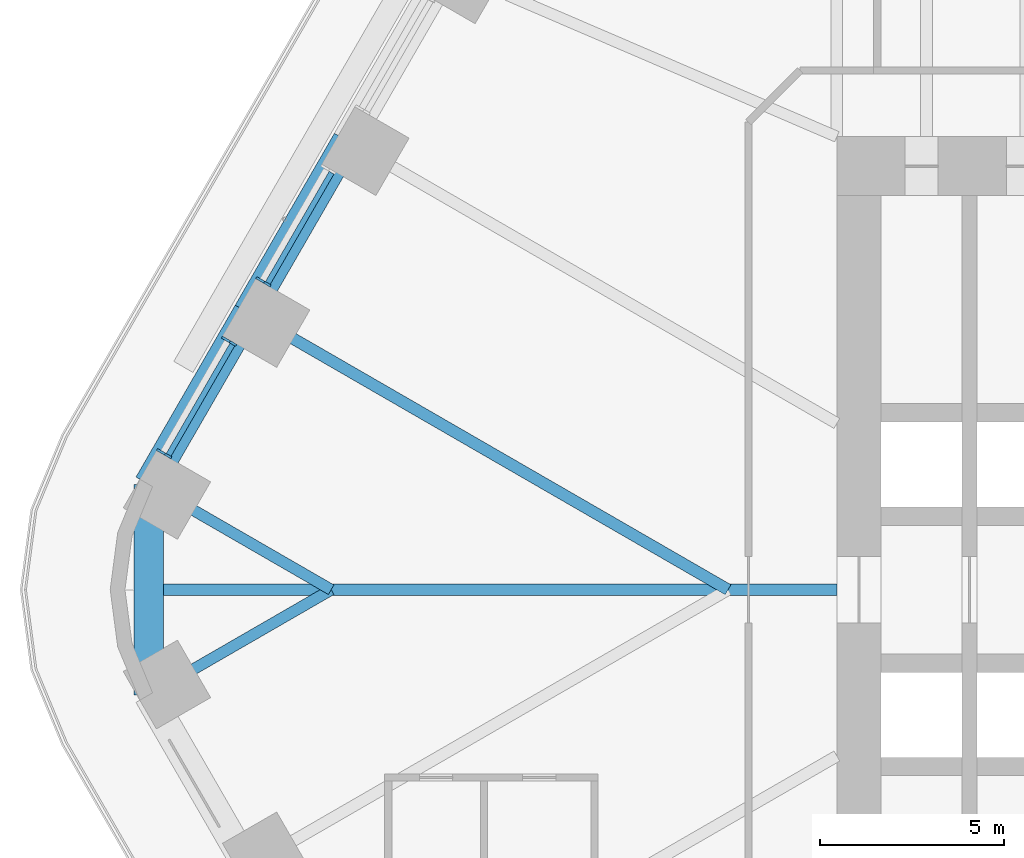
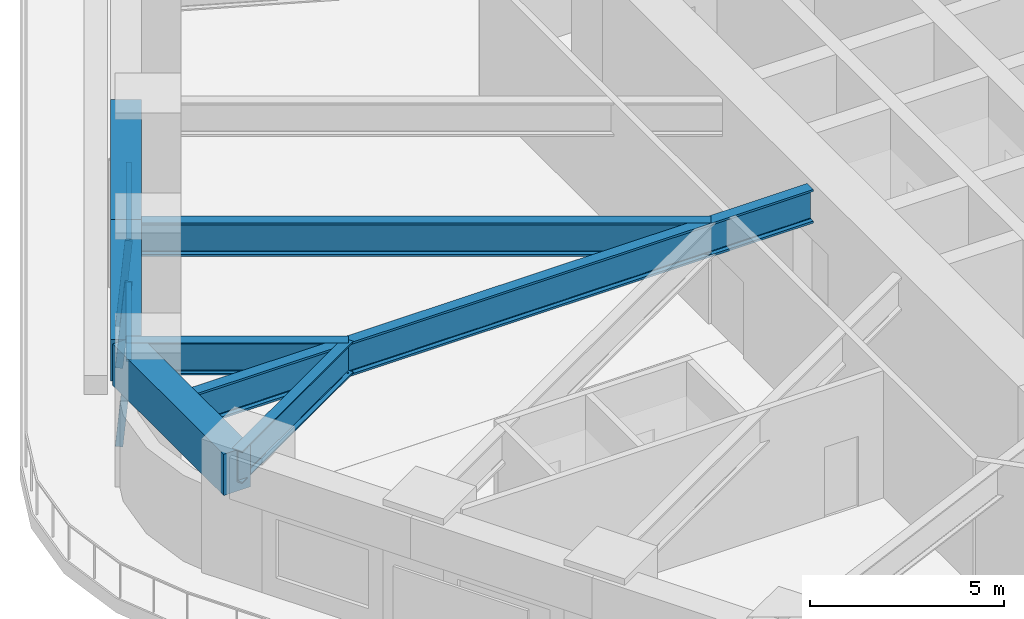
# One storey, part 6 of 23: 7 beams, 5 members, 2 elements without a shape of their own.
"""IFC4 building model written with IfcOpenShell, lengths in metres."""

from ifc_helpers import new_model, si_unit, direction, frame, origin, origin_2d, place, context, subcontext, project, spatial, rectangle, i_section, extrude, material, material_profile, profile_set, type_object, element, aggregate, save


model = new_model("IFC4")

# Units and contexts
model_context = context("Model", 3, precision=1e-05, world=origin(), true_north=direction((0.0, 1.0)))
body_context = subcontext(model_context, "Body", "Model", "MODEL_VIEW")
ifc_project = project(units=[si_unit("LENGTHUNIT", "METRE"), si_unit("AREAUNIT", "SQUARE_METRE"), si_unit("VOLUMEUNIT", "CUBIC_METRE"), si_unit("PLANEANGLEUNIT", "RADIAN"), si_unit("MASSUNIT", "GRAM", prefix="KILO")], contexts=[model_context])

# Site, building, storey
site_placement = place(None, origin())
site = spatial("IfcSite", under=ifc_project, at=site_placement, CompositionType="ELEMENT")
building_placement = place(site_placement, origin())
building = spatial("IfcBuilding", under=site, at=building_placement, Name="Tarfa Lantern Tower", CompositionType="ELEMENT")
storey_placement = place(building_placement, frame((0.0, 0.0, 99.10009765625)))
storey = spatial("IfcBuildingStorey", under=building, at=storey_placement, Name="L22", CompositionType="ELEMENT", Elevation=99.10009765625)

# Curtain wall, member
ifc_material_1 = material(Name="Aluminium framed curtain wall", Category="aluminium")
curtain_wall_type = type_object("IfcCurtainWallType", Name="CW1 CANTED GLAZING LOW ZONE 2700", PredefinedType="USERDEFINED", material=ifc_material_1)
curtain_wall_1_placement = place(storey_placement, origin())
curtain_wall_1 = element("IfcCurtainWall", 1, at=curtain_wall_1_placement, inside=storey, type_object=curtain_wall_type, Name="CW1 NW L22", ObjectType="CURTAIN WALL", PredefinedType="USERDEFINED")
ifc_material_2 = material(Name="Aluminium mullion", Category="aluminium")
ifc_material_profile_1 = material_profile(ifc_material_2, rectangle(XDim=0.06494140625, YDim=0.199951171875, at=origin_2d()), Name="AL MULLION 65x200")
ifc_profile_set_1 = profile_set([ifc_material_profile_1], Name="Aluminium mullion")
member_type_1 = type_object("IfcMemberType", Name="CWM1 MULLION 65x200", PredefinedType="MULLION", material=ifc_profile_set_1)
member_1_placement = place(storey_placement, frame((-34.280517578125, 8.42431640625, 0.0), z_axis=(0.079774955866, -0.04610020023, 0.995746317068), x_axis=(0.500342721131, 0.865827443207, 0.0)))
member_1 = element("IfcMember", 2, at=member_1_placement, type_object=member_type_1, Name="CW1 mullion 2", PredefinedType="MULLION", context=body_context, shape_type="SweptSolid", body=[
    extrude(rectangle(XDim=0.06494140625, YDim=0.199951171875, at=origin_2d()), origin(), (0.0, 0.0, 1.0), 2.71142578125),
])

# Curtain wall, members
curtain_wall_2_placement = place(storey_placement, origin())
curtain_wall_2 = element("IfcCurtainWall", 3, at=curtain_wall_2_placement, inside=storey, type_object=curtain_wall_type, Name="CW1 NW L22", ObjectType="CURTAIN WALL", PredefinedType="USERDEFINED")
member_2_placement = place(storey_placement, frame((-35.213134765625, 6.80908203125, 0.0), z_axis=(0.07986442134, -0.046099868913, 0.99573916077), x_axis=(0.499919672301, 0.866071776036, 0.0)))
member_2 = element("IfcMember", 4, at=member_2_placement, type_object=member_type_1, Name="CW1 mullion 1", PredefinedType="MULLION", context=body_context, shape_type="SweptSolid", body=[
    extrude(rectangle(XDim=0.06494140625, YDim=0.199951171875, at=origin_2d()), origin(), (0.0, 0.0, 1.0), 2.71142578125),
])
member_3_placement = place(storey_placement, frame((-36.974853515625, 3.757568359375, 0.0), z_axis=(0.07986442134, -0.046099868913, 0.99573916077), x_axis=(0.499919672301, 0.866071776036, 0.0)))
member_3 = element("IfcMember", 5, at=member_3_placement, type_object=member_type_1, Name="CW1 mullion 2", PredefinedType="MULLION", context=body_context, shape_type="SweptSolid", body=[
    extrude(rectangle(XDim=0.06494140625, YDim=0.199951171875, at=origin_2d()), origin(), (0.0, 0.0, 1.0), 2.71142578125),
])

# Member
ifc_material_3 = material(Name="Aluminium transom", Category="aluminium")
ifc_material_profile_2 = material_profile(ifc_material_3, rectangle(XDim=0.14990234375, YDim=0.06494140625, at=origin_2d()), Name="AL TRANSOM 150x65")
ifc_profile_set_2 = profile_set([ifc_material_profile_2], Name="Aluminium transom")
member_type_2 = type_object("IfcMemberType", Name="CWT1 TRANSOM 150x65", PredefinedType="USERDEFINED", material=ifc_profile_set_2)
member_4_placement = place(storey_placement, frame((-32.321044921875, 11.32421875, 2.66748046875), z_axis=(-0.500025915891, -0.866010440721, 0.0), x_axis=(0.866010440721, -0.500025915891, 0.0)))
member_4 = element("IfcMember", 6, at=member_4_placement, type_object=member_type_2, Name="CW1 transom 1.2", ObjectType="TRANSOM", PredefinedType="USERDEFINED", context=body_context, shape_type="SweptSolid", body=[
    extrude(rectangle(XDim=0.14990234375, YDim=0.06494140625, at=origin_2d()), origin(), (0.0, 0.0, 1.0), 3.458740234375),
])

aggregate(curtain_wall_1, [member_1, member_4])

member_5_placement = place(storey_placement, frame((-35.015380859375, 6.657470703125, 2.66748046875), z_axis=(-0.500025915891, -0.866010440721, 0.0), x_axis=(0.866010440721, -0.500025915891, 0.0)))
member_5 = element("IfcMember", 7, at=member_5_placement, type_object=member_type_2, Name="CW1 transom 1.2", ObjectType="TRANSOM", PredefinedType="USERDEFINED", context=body_context, shape_type="SweptSolid", body=[
    extrude(rectangle(XDim=0.14990234375, YDim=0.06494140625, at=origin_2d()), origin(), (0.0, 0.0, 1.0), 3.458740234375),
])

aggregate(curtain_wall_2, [member_2, member_3, member_5])

# Beams
ifc_material_4 = material(Name="Concrete C80/95", Category="concrete")
ifc_material_profile_3 = material_profile(ifc_material_4, rectangle(XDim=0.800048828125, YDim=1.300048828125, at=origin_2d()), Name="RC 800x1300")
ifc_profile_set_3 = profile_set([ifc_material_profile_3], Name="Concrete C80/95")
beam_type_1 = type_object("IfcBeamType", Name="EB1 RC 800x1300", PredefinedType="SPANDREL", material=ifc_profile_set_3)
beam_1_placement = place(storey_placement, frame((-31.896728515625, 12.193359375, 3.349853515625), z_axis=(-0.499998287579, -0.866026392449, 0.0), x_axis=(0.866026392449, -0.499998287579, 0.0)))
element("IfcBeam", 8, at=beam_1_placement, inside=storey, type_object=beam_type_1, Name="Edge beam NW4", PredefinedType="SPANDREL", context=body_context, shape_type="SweptSolid", body=[
    extrude(rectangle(XDim=0.800048828125, YDim=1.300048828125, at=origin_2d()), origin(), (0.0, 0.0, 1.0), 5.388671875),
])
beam_2_placement = place(storey_placement, frame((-34.591064453125, 7.526611328125, 3.349853515625), z_axis=(-0.500017906299, -0.866015065331, 0.0), x_axis=(0.866015065331, -0.500017906299, 0.0)))
element("IfcBeam", 9, at=beam_2_placement, inside=storey, type_object=beam_type_1, Name="Edge beam NW5", PredefinedType="SPANDREL", context=body_context, shape_type="SweptSolid", body=[
    extrude(rectangle(XDim=0.800048828125, YDim=1.300048828125, at=origin_2d()), origin(), (0.0, 0.0, 1.0), 5.388427734375),
])
beam_3_placement = place(storey_placement, frame((-37.285400390625, 2.860107421875, 3.349853515625), z_axis=(0.0, -1.0, 0.0), x_axis=(1.0, 0.0, 0.0)))
element("IfcBeam", 10, at=beam_3_placement, inside=storey, type_object=beam_type_1, Name="Edge beam NW6", PredefinedType="SPANDREL", context=body_context, shape_type="SweptSolid", body=[
    extrude(rectangle(XDim=0.800048828125, YDim=1.300048828125, at=origin_2d()), origin(), (0.0, 0.0, 1.0), 5.72021484375),
])
ifc_material_5 = material(Name="Steel S460M", Category="steel")
ifc_material_profile_4 = material_profile(ifc_material_5, i_section(OverallWidth=0.302001953125, OverallDepth=1.008056640625, WebThickness=0.02099609375, FlangeThickness=0.0400390625, FilletRadius=0.030029296875, at=origin_2d()), Name="UB1016x305x349")
ifc_profile_set_4 = profile_set([ifc_material_profile_4], Name="Steel S460M")
beam_type_2 = type_object("IfcBeamType", Name="UB1016x305x349", PredefinedType="BEAM", material=ifc_profile_set_4)
for number, where, z_axis, x_axis, name in (
    (11, (-37.285400390625, 2.860107421875, 3.495849609375), (0.866025668288, -0.499999541866, 0.0), (0.499999541866, 0.866025668288, 0.0), "Floor beam NW6"),
    (12, (-37.285400390625, -2.860107421875, 3.495849609375), (0.866025668288, 0.499999541866, 0.0), (-0.499999541866, 0.866025668288, 0.0), "Floor beam SW0"),
):
    element("IfcBeam", number, at=place(storey_placement, frame(where, z_axis=z_axis, x_axis=x_axis)), inside=storey, type_object=beam_type_2, Name=name, PredefinedType="BEAM", context=body_context, shape_type="SweptSolid", body=[
        extrude(i_section(OverallWidth=0.302001953125, OverallDepth=1.008056640625, WebThickness=0.02099609375, FlangeThickness=0.0400390625, FilletRadius=0.030029296875, at=origin_2d()), origin(), (0.0, 0.0, 1.0), 5.72021484375),
    ])
ifc_material_profile_5 = material_profile(ifc_material_5, i_section(OverallWidth=0.314208984375, OverallDepth=1.055908203125, WebThickness=0.035888671875, FlangeThickness=0.06396484375, FilletRadius=0.030029296875, at=origin_2d()), Name="UB1016x305x584")
ifc_profile_set_5 = profile_set([ifc_material_profile_5], Name="Steel S460M")
beam_type_3 = type_object("IfcBeamType", Name="UB1016x305x584", PredefinedType="BEAM", material=ifc_profile_set_5)
beam_4_placement = place(storey_placement, frame((-18.60009765625, 0.0, 3.471923828125), z_axis=(-1.0, 0.0, 0.0), x_axis=(0.0, -1.0, 0.0)))
element("IfcBeam", 13, at=beam_4_placement, inside=storey, type_object=beam_type_3, Name="Hip girder W", PredefinedType="BEAM", context=body_context, shape_type="SweptSolid", body=[
    extrude(i_section(OverallWidth=0.314208984375, OverallDepth=1.055908203125, WebThickness=0.035888671875, FlangeThickness=0.06396484375, FilletRadius=0.030029296875, at=origin_2d()), origin(), (0.0, 0.0, 1.0), 18.685302734375),
])
beam_5_placement = place(storey_placement, frame((-34.591064453125, 7.526611328125, 3.471923828125), z_axis=(0.86602785945, -0.499995746638, 0.0), x_axis=(0.499995746638, 0.86602785945, 0.0)))
element("IfcBeam", 14, at=beam_5_placement, inside=storey, type_object=beam_type_3, Name="Floor beam NW5", PredefinedType="BEAM", context=body_context, shape_type="SweptSolid", body=[
    extrude(i_section(OverallWidth=0.314208984375, OverallDepth=1.055908203125, WebThickness=0.035888671875, FlangeThickness=0.06396484375, FilletRadius=0.030029296875, at=origin_2d()), origin(), (0.0, 0.0, 1.0), 15.053466796875),
])

save(model, "model.ifc")
